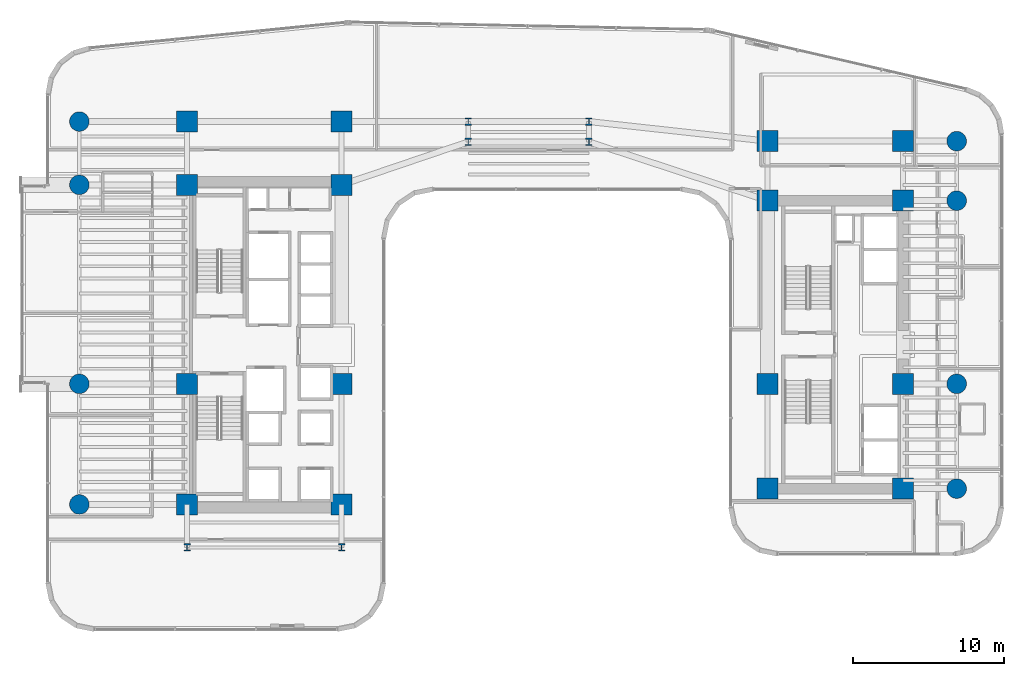
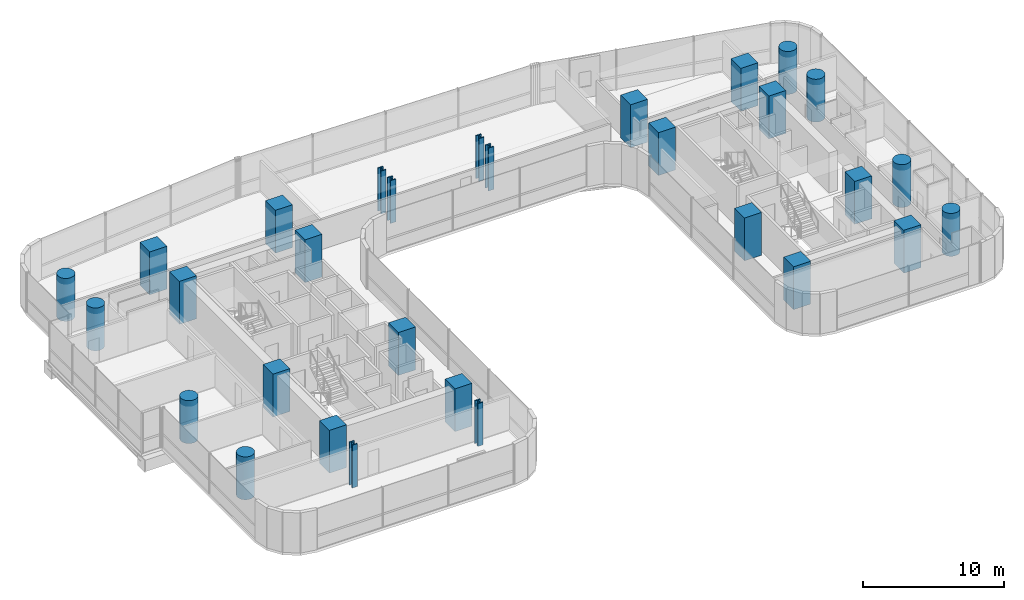
# One storey, part 1 of 39: 30 columns.
"""IFC4 building model written with IfcOpenShell, lengths in metres."""

from ifc_helpers import new_model, si_unit, direction, frame, origin, origin_2d, place, context, subcontext, project, spatial, rectangle, circle, i_section, extrude, source, transform, mapped, material, material_profile, profile_set, type_object, element, save


model = new_model("IFC4")

# Units and contexts
model_context = context("Model", 3, precision=1e-05, world=origin(), true_north=direction((0.0, 1.0)))
body_context = subcontext(model_context, "Body", "Model", "MODEL_VIEW")
ifc_project = project(units=[si_unit("LENGTHUNIT", "METRE"), si_unit("AREAUNIT", "SQUARE_METRE"), si_unit("VOLUMEUNIT", "CUBIC_METRE"), si_unit("PLANEANGLEUNIT", "RADIAN"), si_unit("MASSUNIT", "GRAM", prefix="KILO")], contexts=[model_context])

# Site, building, storey
site_placement = place(None, origin())
site = spatial("IfcSite", under=ifc_project, at=site_placement, CompositionType="ELEMENT")
building_placement = place(site_placement, origin())
building = spatial("IfcBuilding", under=site, at=building_placement, Name="Valdorenza Pilgrim Sanctuary Tower", CompositionType="ELEMENT")
storey_placement = place(building_placement, frame((0.0, 0.0, 74.10009765625)))
storey = spatial("IfcBuildingStorey", under=building, at=storey_placement, Name="L18", CompositionType="ELEMENT", Elevation=74.10009765625)

# Columns
ifc_material_1 = material(Name="Concrete C60/75", Category="concrete")
ifc_material_profile_1 = material_profile(ifc_material_1, circle(Radius=0.64990234375, at=origin_2d()), Name="RC D1300")
ifc_profile_set_1 = profile_set([ifc_material_profile_1], Name="Concrete C60/75")
column_type_1 = type_object("IfcColumnType", Name="COL-RND-1300", PredefinedType="COLUMN", material=ifc_profile_set_1)
shared_shape_1 = source(origin(), body_context, "Body", "SweptSolid", [
    extrude(circle(Radius=0.64990234375, at=origin_2d()), origin(), (0.0, 0.0, 1.0), 3.699951171875),
])
for number, where, z_axis, x_axis, name in (
    (1, (-29.800048828125, -10.60009765625, 0.0), (0.0, 0.0, 1.0), (1.0, 0.0, 0.0), "L18 Perimeter Column WA-W-S1"),
    (2, (-29.800048828125, -2.60009765625, 0.0), (0.0, 0.0, 1.0), (1.0, 0.0, 0.0), "L18 Perimeter Column WA-W-M0"),
    (3, (-29.800048828125, 10.60009765625, 0.0), (0.0, 0.0, 1.0), (1.0, 0.0, 0.0), "L18 Perimeter Column WA-W-N1"),
    (4, (-29.800048828125, 14.800048828125, 0.0), (0.0, 0.0, 1.0), (1.0, 0.0, 0.0), "L18 Perimeter Column WA-W-N2"),
    (5, (28.39990234375, -9.550048828125, 0.0), (0.0, 0.0, 1.0), (1.0, 0.0, 0.0), "L18 Perimeter Column WB-E-S1"),
    (6, (28.39990234375, -2.60009765625, 0.0), (0.0, 0.0, 1.0), (1.0, 0.0, 0.0), "L18 Perimeter Column WB-E-M0"),
    (7, (28.39990234375, 9.550048828125, 0.0), (0.0, 0.0, 1.0), (1.0, 0.0, 0.0), "L18 Perimeter Column WB-E-N1"),
    (8, (28.39990234375, 13.5, 0.0), (0.0, 0.0, 1.0), (1.0, 0.0, 0.0), "L18 Perimeter Column WB-E-N2"),
):
    element("IfcColumn", number, at=place(storey_placement, frame(where, z_axis=z_axis, x_axis=x_axis)), inside=storey, type_object=column_type_1, Name=name, PredefinedType="COLUMN", context=body_context, shape_type="MappedRepresentation", body=[
        mapped(shared_shape_1, transform((0.0, 0.0, 0.0), x_axis=(1.0, 0.0, 0.0), y_axis=(0.0, 1.0, 0.0), z_axis=(0.0, 0.0, 1.0), scale=1.0)),
    ])
ifc_material_profile_2 = material_profile(ifc_material_1, rectangle(XDim=1.39990234375, YDim=1.39990234375, at=origin_2d()), Name="RC 1400x1400")
ifc_profile_set_2 = profile_set([ifc_material_profile_2], Name="Concrete C60/75")
column_type_2 = type_object("IfcColumnType", Name="COL-Z1-1400", PredefinedType="COLUMN", material=ifc_profile_set_2)
shared_shape_2 = source(origin(), body_context, "Body", "SweptSolid", [
    extrude(rectangle(XDim=1.39990234375, YDim=1.39990234375, at=origin_2d()), origin(), (0.0, 0.0, 1.0), 3.699951171875),
])
for number, where, z_axis, x_axis, name in (
    (9, (-22.64990234375, -10.60009765625, 0.0), (0.0, 0.0, 1.0), (1.0, 0.0, 0.0), "L18 Column CA-W-S1"),
    (10, (-12.39990234375, -10.60009765625, 0.0), (0.0, 0.0, 1.0), (1.0, 0.0, 0.0), "L18 Column CA-E-S1"),
    (11, (-22.64990234375, -2.60009765625, 0.0), (0.0, 0.0, 1.0), (1.0, 0.0, 0.0), "L18 Column CA-W-M0"),
    (12, (-12.39990234375, -2.60009765625, 0.0), (0.0, 0.0, 1.0), (1.0, 0.0, 0.0), "L18 Column CA-E-M0"),
    (13, (-22.64990234375, 10.60009765625, 0.0), (0.0, 0.0, 1.0), (1.0, 0.0, 0.0), "L18 Column CA-W-N1"),
    (14, (-12.39990234375, 10.60009765625, 0.0), (0.0, 0.0, 1.0), (1.0, 0.0, 0.0), "L18 Column CA-E-N1"),
    (15, (-22.64990234375, 14.800048828125, 0.0), (0.0, 0.0, 1.0), (1.0, 0.0, 0.0), "L18 Column CA-W-N2"),
    (16, (-12.39990234375, 14.800048828125, 0.0), (0.0, 0.0, 1.0), (1.0, 0.0, 0.0), "L18 Column CA-E-N2"),
    (17, (15.85009765625, -9.550048828125, 0.0), (0.0, 0.0, 1.0), (1.0, 0.0, 0.0), "L18 Column CB-W-S1"),
    (18, (24.85009765625, -9.550048828125, 0.0), (0.0, 0.0, 1.0), (1.0, 0.0, 0.0), "L18 Column CB-E-S1"),
    (19, (15.85009765625, -2.60009765625, 0.0), (0.0, 0.0, 1.0), (1.0, 0.0, 0.0), "L18 Column CB-W-M0"),
    (20, (24.85009765625, -2.60009765625, 0.0), (0.0, 0.0, 1.0), (1.0, 0.0, 0.0), "L18 Column CB-E-M0"),
    (21, (15.85009765625, 9.550048828125, 0.0), (0.0, 0.0, 1.0), (1.0, 0.0, 0.0), "L18 Column CB-W-N1"),
    (22, (24.85009765625, 9.550048828125, 0.0), (0.0, 0.0, 1.0), (1.0, 0.0, 0.0), "L18 Column CB-E-N1"),
    (23, (15.85009765625, 13.5, 0.0), (0.0, 0.0, 1.0), (1.0, 0.0, 0.0), "L18 Column CB-W-N2"),
    (24, (24.85009765625, 13.5, 0.0), (0.0, 0.0, 1.0), (1.0, 0.0, 0.0), "L18 Column CB-E-N2"),
):
    element("IfcColumn", number, at=place(storey_placement, frame(where, z_axis=z_axis, x_axis=x_axis)), inside=storey, type_object=column_type_2, Name=name, PredefinedType="COLUMN", context=body_context, shape_type="MappedRepresentation", body=[
        mapped(shared_shape_2, transform((0.0, 0.0, 0.0), x_axis=(1.0, 0.0, 0.0), y_axis=(0.0, 1.0, 0.0), z_axis=(0.0, 0.0, 1.0), scale=1.0)),
    ])
ifc_material_2 = material(Name="Steel ASTM A992 Grade 50", Category="steel")
ifc_material_profile_3 = material_profile(ifc_material_2, i_section(OverallWidth=0.431884765625, OverallDepth=0.498046875, WebThickness=0.0556640625, FlangeThickness=0.0888671875, at=origin_2d()), Name="W14X500")
ifc_profile_set_3 = profile_set([ifc_material_profile_3], Name="Steel ASTM A992 Grade 50")
column_type_3 = type_object("IfcColumnType", Name="COL-STL-W500", PredefinedType="COLUMN", material=ifc_profile_set_3)
shared_shape_3 = source(origin(), body_context, "Body", "SweptSolid", [
    extrude(i_section(OverallWidth=0.431884765625, OverallDepth=0.498046875, WebThickness=0.0556640625, FlangeThickness=0.0888671875, at=origin_2d()), origin(), (0.0, 0.0, 1.0), 3.699951171875),
])
for number, where, z_axis, x_axis, name in (
    (25, (-22.64990234375, -13.449951171875, 0.0), (0.0, 0.0, 1.0), (1.0, 0.0, 0.0), "L18 Column WA-S-W"),
    (26, (-12.39990234375, -13.449951171875, 0.0), (0.0, 0.0, 1.0), (1.0, 0.0, 0.0), "L18 Column WA-S-E"),
    (27, (-4.0, 13.449951171875, 0.0), (0.0, 0.0, 1.0), (1.0, 0.0, 0.0), "L18 Column KNK-W1"),
    (28, (-4.0, 14.800048828125, 0.0), (0.0, 0.0, 1.0), (1.0, 0.0, 0.0), "L18 Column KNK-W2"),
    (29, (4.0, 13.449951171875, 0.0), (0.0, 0.0, 1.0), (1.0, 0.0, 0.0), "L18 Column KNK-E1"),
    (30, (4.0, 14.800048828125, 0.0), (0.0, 0.0, 1.0), (1.0, 0.0, 0.0), "L18 Column KNK-E2"),
):
    element("IfcColumn", number, at=place(storey_placement, frame(where, z_axis=z_axis, x_axis=x_axis)), inside=storey, type_object=column_type_3, Name=name, PredefinedType="COLUMN", context=body_context, shape_type="MappedRepresentation", body=[
        mapped(shared_shape_3, transform((0.0, 0.0, 0.0), x_axis=(1.0, 0.0, 0.0), y_axis=(0.0, 1.0, 0.0), z_axis=(0.0, 0.0, 1.0), scale=1.0)),
    ])

save(model, "model.ifc")
